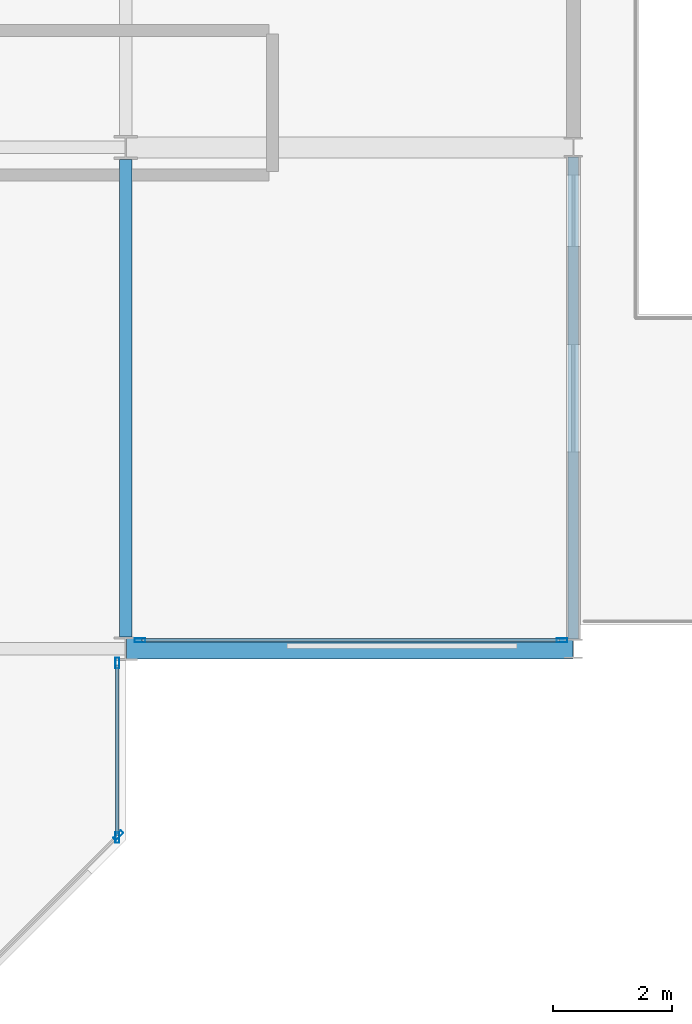
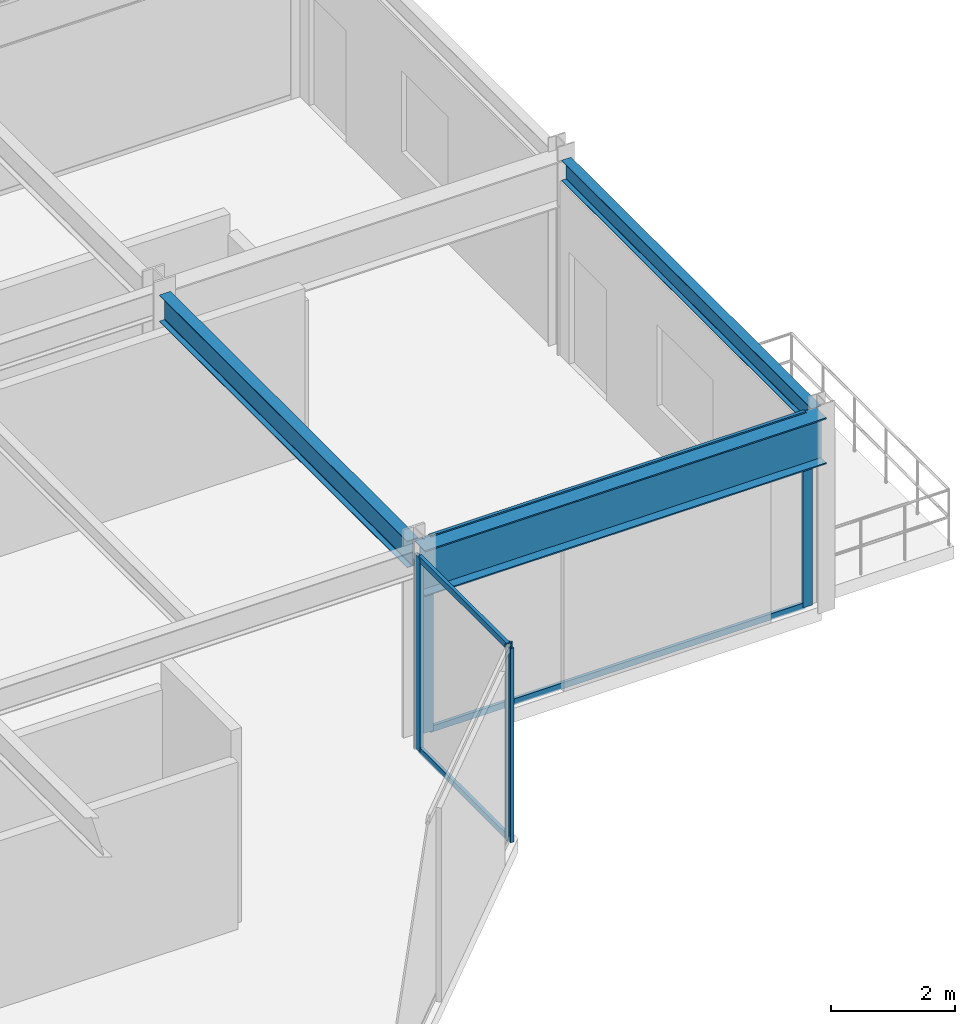
# One storey, part 18 of 38: 9 members, 3 beams, 3 elements without a shape of their own.
"""IFC4 building model written with IfcOpenShell, lengths in metres."""

import ifcopenshell
import ifcopenshell.guid

model = None  # the IFC model being written
_history = None  # IfcOwnerHistory: only IFC2X3 demands one
_inside = {}  # id of a spatial element -> (the spatial element, [elements in it])
_under = {}  # id of a project, library or spatial element -> (it, [spatial elements below it])
_declared = {}  # id of a project -> (the project, [libraries it declares])
_typed = {}  # id of a type object -> (the type object, [elements of that type])
_made_of = {}  # id of a material, layer set ... -> (it, [elements and type objects made of it])


def new_model(schema):
    """Start an empty IFC model of exactly this schema.

    Asked for "IFC4X3", IfcOpenShell would pick the latest addendum, in which some entities
    have other attributes; the version numbers below select the first issue.
    IFC2X3 requires an IfcOwnerHistory on every rooted entity: one is made here for all.
    """
    global model, _history
    if schema == "IFC4X3":
        model = ifcopenshell.file(schema_version=(4, 3, 0, 0))
    else:
        model = ifcopenshell.file(schema=schema)
    _inside.clear()
    _under.clear()
    _declared.clear()
    _typed.clear()
    _made_of.clear()
    _history = None
    if model.schema == "IFC2X3":
        org = make("IfcOrganization", Name="unknown")
        user = make(
            "IfcPersonAndOrganization",
            ThePerson=make("IfcPerson", FamilyName="unknown"),
            TheOrganization=org,
        )
        app = make(
            "IfcApplication",
            ApplicationDeveloper=org,
            Version="unknown",
            ApplicationFullName="unknown",
            ApplicationIdentifier="unknown",
        )
        _history = make(
            "IfcOwnerHistory",
            OwningUser=user,
            OwningApplication=app,
            ChangeAction="ADDED",
            CreationDate=0,
        )
    return model


def make(cls, **values):
    """One entity of the class cls with the attributes given. An attribute that is None is left unset."""
    return model.create_entity(
        cls, **{name: value for name, value in values.items() if value is not None}
    )


def rooted(cls, **values):
    """An entity with a GlobalId (a new one), such as an element, a storey or a relation."""
    return make(cls, GlobalId=ifcopenshell.guid.new(), OwnerHistory=_history, **values)


def si_unit(unit_type, name, prefix=None):
    """IfcSIUnit, for example si_unit("LENGTHUNIT", "METRE", prefix="MILLI")."""
    return make("IfcSIUnit", UnitType=unit_type, Prefix=prefix, Name=name)


def assignment(units):
    """IfcUnitAssignment: the units of a project."""
    return None if units is None else make("IfcUnitAssignment", Units=units)


def point(xyz):
    """IfcCartesianPoint."""
    return None if xyz is None else make("IfcCartesianPoint", Coordinates=xyz)


def direction(xyz):
    """IfcDirection."""
    return None if xyz is None else make("IfcDirection", DirectionRatios=xyz)


def frame(location, z_axis=None, x_axis=None):
    """IfcAxis2Placement3D, a coordinate frame: its origin and axes. An axis left out is left unset."""
    return make(
        "IfcAxis2Placement3D",
        Location=point(location),
        Axis=direction(z_axis),
        RefDirection=direction(x_axis),
    )


def frame_2d(location, x_axis=None):
    """IfcAxis2Placement2D, a coordinate frame in the plane: its origin and x axis."""
    return make(
        "IfcAxis2Placement2D", Location=point(location), RefDirection=direction(x_axis)
    )


def origin():
    """The frame at (0, 0, 0) with its axes left unset."""
    return frame((0.0, 0.0, 0.0))


def origin_2d():
    """The frame at (0, 0) in the plane with its x axis left unset."""
    return frame_2d((0.0, 0.0))


def place(relative_to, where):
    """IfcLocalPlacement: puts the frame where relative to a parent placement (None: the world)."""
    return make(
        "IfcLocalPlacement", PlacementRelTo=relative_to, RelativePlacement=where
    )


def context(
    kind, dimensions, precision=None, world=None, true_north=None, identifier=None
):
    """IfcGeometricRepresentationContext, for example the 3D "Model" context."""
    return make(
        "IfcGeometricRepresentationContext",
        ContextIdentifier=identifier,
        ContextType=kind,
        CoordinateSpaceDimension=dimensions,
        Precision=precision,
        WorldCoordinateSystem=world,
        TrueNorth=true_north,
    )


def subcontext(parent, identifier, kind, view, scale=None):
    """IfcGeometricRepresentationSubContext, for example "Body" below "Model"."""
    return make(
        "IfcGeometricRepresentationSubContext",
        ContextIdentifier=identifier,
        ContextType=kind,
        ParentContext=parent,
        TargetScale=scale,
        TargetView=view,
    )


def project(units=None, contexts=None):
    """IfcProject with its units and contexts."""
    return rooted(
        "IfcProject",
        Name="project",
        RepresentationContexts=contexts,
        UnitsInContext=assignment(units),
    )


def spatial(cls, under=None, at=None, **own):
    """A site, building, storey or space (cls), placed at a placement, below another one or the project."""
    s = rooted(cls, ObjectPlacement=at, **own)
    if under is not None:
        _under.setdefault(under.id(), (under, []))[1].append(s)
    return s


def profile(cls, at=None, kind="AREA", **sizes):
    """A parametric profile (cls). Its sizes go by their IFC names, for example OverallWidth=200.0."""
    return make(cls, ProfileType=kind, Position=at, **sizes)


def hollow_rectangle(**sizes):
    """IfcRectangleHollowProfileDef."""
    return profile("IfcRectangleHollowProfileDef", **sizes)


def i_section(**sizes):
    """IfcIShapeProfileDef."""
    return profile("IfcIShapeProfileDef", **sizes)


def extrude(swept, where, along, depth):
    """IfcExtrudedAreaSolid: the profile swept, set in the frame where, extruded along a direction by depth."""
    return make(
        "IfcExtrudedAreaSolid",
        SweptArea=swept,
        Position=where,
        ExtrudedDirection=direction(along),
        Depth=depth,
    )


def shape(context_of_items, identifier, shape_type, items):
    """IfcShapeRepresentation: the items that make up one representation, for example the "Body"."""
    return make(
        "IfcShapeRepresentation",
        ContextOfItems=context_of_items,
        RepresentationIdentifier=identifier,
        RepresentationType=shape_type,
        Items=items,
    )


def material(Name=None, Category=None):
    """IfcMaterial."""
    return make("IfcMaterial", Name=Name, Category=Category)


def layer(
    of_material, thickness, ventilated=None, Name=None, Category=None, Priority=None
):
    """IfcMaterialLayer: one layer of a wall or slab, of a material (None: an air gap)."""
    return make(
        "IfcMaterialLayer",
        Material=of_material,
        LayerThickness=thickness,
        IsVentilated=ventilated,
        Name=Name,
        Category=Category,
        Priority=Priority,
    )


def layer_set(layers, Name=None):
    """IfcMaterialLayerSet."""
    return make("IfcMaterialLayerSet", MaterialLayers=layers, LayerSetName=Name)


def material_profile(
    of_material, cross_section, Name=None, Category=None, Priority=None
):
    """IfcMaterialProfile: a cross section and its material."""
    return make(
        "IfcMaterialProfile",
        Name=Name,
        Material=of_material,
        Profile=cross_section,
        Priority=Priority,
        Category=Category,
    )


def profile_set(profiles, Name=None, composite=None):
    """IfcMaterialProfileSet."""
    return make(
        "IfcMaterialProfileSet",
        Name=Name,
        MaterialProfiles=profiles,
        CompositeProfile=composite,
    )


def made_of(thing, what):
    """Note that an element or type object is made of a material, layer set ...; save() writes the relation."""
    if what is not None:
        _made_of.setdefault(what.id(), (what, []))[1].append(thing)
    return thing


def type_object(cls, material=None, **own):
    """A type object (cls), such as IfcWallType, which elements share."""
    return made_of(rooted(cls, **own), material)


def element(
    cls,
    number,
    at=None,
    inside=None,
    cuts=None,
    type_object=None,
    material=None,
    context=None,
    identifier="Body",
    shape_type=None,
    held_by="IfcProductDefinitionShape",
    body=None,
    shapes=None,
    **own,
):
    """One element of the class cls, such as IfcWall. Its Tag is "e" and its number.

    at: its placement. inside: the storey or other place that contains it. cuts: it is an
    opening in that element (IfcRelVoidsElement). A single representation is given by context,
    identifier, shape_type and body (its items); several are given by shapes. held_by: the class
    of the entity that holds the representations. save() writes the other relations.
    """
    e = rooted(cls, Tag="e%d" % number, ObjectPlacement=at, **own)
    if body is not None:
        shapes = [shape(context, identifier, shape_type, body)]
    if shapes is not None:
        e.Representation = make(held_by, Representations=shapes)
    if inside is not None:
        _inside.setdefault(inside.id(), (inside, []))[1].append(e)
    if cuts is not None:
        rooted(
            "IfcRelVoidsElement", RelatingBuildingElement=cuts, RelatedOpeningElement=e
        )
    if type_object is not None:
        _typed.setdefault(type_object.id(), (type_object, []))[1].append(e)
    return made_of(e, material)


def aggregate(whole, parts):
    """IfcRelAggregates: a whole, such as a stair, and the parts it consists of."""
    return rooted("IfcRelAggregates", RelatingObject=whole, RelatedObjects=parts)


def save(model, path):
    """Write the relations noted so far, then the file.

    IfcRelAggregates (storeys below a building ...), IfcRelContainedInSpatialStructure (elements
    in a storey), IfcRelDefinesByType, IfcRelAssociatesMaterial and IfcRelDeclares: one each for
    every whole, place, type object, material and project.
    """
    for whole, parts in _under.values():
        aggregate(whole, parts)
    for where, things in _inside.values():
        rooted(
            "IfcRelContainedInSpatialStructure",
            RelatedElements=things,
            RelatingStructure=where,
        )
    for kind, things in _typed.values():
        rooted("IfcRelDefinesByType", RelatedObjects=things, RelatingType=kind)
    for what, things in _made_of.values():
        rooted("IfcRelAssociatesMaterial", RelatedObjects=things, RelatingMaterial=what)
    for by, libraries in _declared.values():
        rooted("IfcRelDeclares", RelatingContext=by, RelatedDefinitions=libraries)
    model.write(path)


model = new_model("IFC4")

# Units and contexts
model_context = context("Model", 3, precision=1e-05, world=origin(), true_north=direction((0.0, 1.0)))
body_context = subcontext(model_context, "Body", "Model", "MODEL_VIEW")
ifc_project = project(units=[si_unit("LENGTHUNIT", "METRE"), si_unit("AREAUNIT", "SQUARE_METRE"), si_unit("VOLUMEUNIT", "CUBIC_METRE"), si_unit("PLANEANGLEUNIT", "RADIAN"), si_unit("MASSUNIT", "GRAM", prefix="KILO")], contexts=[model_context])

# Site, building, storey
site_placement = place(None, origin())
site = spatial("IfcSite", under=ifc_project, at=site_placement, CompositionType="ELEMENT")
building_placement = place(site_placement, origin())
building = spatial("IfcBuilding", under=site, at=building_placement, Name="Nerrivon Quay Data Exchange", CompositionType="ELEMENT")
storey_placement = place(building_placement, frame((0.0, 0.0, 88.5)))
storey = spatial("IfcBuildingStorey", under=building, at=storey_placement, Name="L20", CompositionType="ELEMENT", Elevation=88.5)

# Beams
ifc_material_1 = material(Name="Steel Grade 350", Category="steel")
ifc_material_profile_1 = material_profile(ifc_material_1, i_section(OverallWidth=0.35009765625, OverallDepth=0.909912109375, WebThickness=0.011962890625, FlangeThickness=0.02490234375, at=origin_2d()), Name="900WB218")
ifc_profile_set_1 = profile_set([ifc_material_profile_1], Name="Steel Grade 350")
beam_type_1 = type_object("IfcBeamType", Name="BM-CANT-900WB", PredefinedType="USERDEFINED", material=ifc_profile_set_1)
beam_1_placement = place(storey_placement, frame((50.41259765625, 8.39990234375, 3.3701171875), z_axis=(1.0, 0.0, 0.0), x_axis=(0.0, 1.0, 0.0)))
element("IfcBeam", 1, at=beam_1_placement, inside=storey, type_object=beam_type_1, Name="L20 East Hooked Cantilever Girder Y=8.4", ObjectType="TRANSFER", PredefinedType="USERDEFINED", context=body_context, shape_type="SweptSolid", body=[
    extrude(i_section(OverallWidth=0.35009765625, OverallDepth=0.909912109375, WebThickness=0.011962890625, FlangeThickness=0.02490234375, at=origin_2d()), origin(), (0.0, 0.0, 1.0), 7.4794921875),
])
ifc_material_profile_2 = material_profile(ifc_material_1, i_section(OverallWidth=0.208984375, OverallDepth=0.528076171875, WebThickness=0.009521484375, FlangeThickness=0.01318359375, FilletRadius=0.013916015625, at=origin_2d()), Name="530UB82.0")
ifc_profile_set_2 = profile_set([ifc_material_profile_2], Name="Steel Grade 350")
beam_type_2 = type_object("IfcBeamType", Name="BM-G4-530UB82", PredefinedType="BEAM", material=ifc_profile_set_2)
beam_2_placement = place(storey_placement, frame((50.39990234375, 8.60009765625, 3.56103515625), z_axis=(0.0, 1.0, 0.0), x_axis=(-1.0, 0.0, 0.0)))
element("IfcBeam", 2, at=beam_2_placement, inside=storey, type_object=beam_type_2, Name="L20 NS Girder X=50.4 (8.4..16.8)", PredefinedType="BEAM", context=body_context, shape_type="SweptSolid", body=[
    extrude(i_section(OverallWidth=0.208984375, OverallDepth=0.528076171875, WebThickness=0.009521484375, FlangeThickness=0.01318359375, FilletRadius=0.013916015625, at=origin_2d()), origin(), (0.0, 0.0, 1.0), 8.0),
])
ifc_material_profile_3 = material_profile(ifc_material_1, i_section(OverallWidth=0.177978515625, OverallDepth=0.403076171875, WebThickness=0.007568359375, FlangeThickness=0.010986328125, FilletRadius=0.011474609375, at=origin_2d()), Name="410UB53.7")
ifc_profile_set_3 = profile_set([ifc_material_profile_3], Name="Steel Grade 350")
beam_type_3 = type_object("IfcBeamType", Name="BM-SP2-410UB54", PredefinedType="SPANDREL", material=ifc_profile_set_3)
beam_3_placement = place(storey_placement, frame((57.89990234375, 8.5634765625, 3.62353515625), z_axis=(0.0, 1.0, 0.0), x_axis=(-1.0, 0.0, 0.0)))
element("IfcBeam", 3, at=beam_3_placement, inside=storey, type_object=beam_type_3, Name="L20 East Hooked Edge Spandrel", PredefinedType="SPANDREL", context=body_context, shape_type="SweptSolid", body=[
    extrude(i_section(OverallWidth=0.177978515625, OverallDepth=0.403076171875, WebThickness=0.007568359375, FlangeThickness=0.010986328125, FilletRadius=0.011474609375, at=origin_2d()), origin(), (0.0, 0.0, 1.0), 8.072998046875),
])

# Curtain wall, members
ifc_material_2 = material(Name="Anodised aluminium 6063-T6", Category="aluminium")
ifc_layer_1 = layer(ifc_material_2, 0.199951171875)
ifc_layer_set_1 = layer_set([ifc_layer_1], Name="Anodised aluminium 6063-T6")
curtain_wall_type_1 = type_object("IfcCurtainWallType", Name="CW-SYS-04", PredefinedType="NOTDEFINED", material=ifc_layer_set_1)
curtain_wall_1_placement = place(storey_placement, origin())
curtain_wall_1 = element("IfcCurtainWall", 4, at=curtain_wall_1_placement, inside=storey, type_object=curtain_wall_type_1, Name="L20 Unitised Curtain Wall 3", PredefinedType="NOTDEFINED")
ifc_material_profile_4 = material_profile(ifc_material_2, hollow_rectangle(XDim=0.06494140625, YDim=0.179931640625, WallThickness=0.00341796875, at=origin_2d()), Name="ALU-MULL-180x65")
ifc_profile_set_4 = profile_set([ifc_material_profile_4], Name="Anodised aluminium 6063-T6")
member_type_1 = type_object("IfcMemberType", Name="CWM-180x65", PredefinedType="MULLION", material=ifc_profile_set_4)
member_1_placement = place(storey_placement, frame((57.70703125, 8.5400390625, 0.0), z_axis=(0.0, 0.0, 1.0), x_axis=(0.0, -1.0, 0.0)))
member_1 = element("IfcMember", 5, at=member_1_placement, type_object=member_type_1, Name="CW04 mullion 1", PredefinedType="MULLION", context=body_context, shape_type="SweptSolid", body=[
    extrude(hollow_rectangle(XDim=0.06494140625, YDim=0.179931640625, WallThickness=0.00341796875, at=origin_2d()), origin(), (0.0, 0.0, 1.0), 3.824951171875),
])
member_2_placement = place(storey_placement, frame((50.637451171875, 8.5400390625, 0.0), z_axis=(0.0, 0.0, 1.0), x_axis=(0.0, -1.0, 0.0)))
member_2 = element("IfcMember", 6, at=member_2_placement, type_object=member_type_1, Name="CW04 mullion 2", PredefinedType="MULLION", context=body_context, shape_type="SweptSolid", body=[
    extrude(hollow_rectangle(XDim=0.06494140625, YDim=0.179931640625, WallThickness=0.00341796875, at=origin_2d()), origin(), (0.0, 0.0, 1.0), 3.824951171875),
])

ifc_layer_2 = layer(ifc_material_2, 0.2099609375)
ifc_layer_set_2 = layer_set([ifc_layer_2], Name="Anodised aluminium 6063-T6")
curtain_wall_type_2 = type_object("IfcCurtainWallType", Name="CW-SYS-02", PredefinedType="NOTDEFINED", material=ifc_layer_set_2)
curtain_wall_2_placement = place(storey_placement, origin())
curtain_wall_2 = element("IfcCurtainWall", 7, at=curtain_wall_2_placement, inside=storey, type_object=curtain_wall_type_2, Name="L20 Unitised Curtain Wall 4", PredefinedType="NOTDEFINED")
member_3_placement = place(storey_placement, frame((50.260009765625, 8.16259765625, 0.0), z_axis=(0.0, 0.0, 1.0), x_axis=(1.0, 0.0, 0.0)))
member_3 = element("IfcMember", 8, at=member_3_placement, type_object=member_type_1, Name="CW02 mullion 1", PredefinedType="MULLION", context=body_context, shape_type="SweptSolid", body=[
    extrude(hollow_rectangle(XDim=0.06494140625, YDim=0.179931640625, WallThickness=0.00341796875, at=origin_2d()), origin(), (0.0, 0.0, 1.0), 3.824951171875),
])
member_4_placement = place(storey_placement, frame((50.260009765625, 5.237548828125, 0.0), z_axis=(0.0, 0.0, 1.0), x_axis=(1.0, 0.0, 0.0)))
member_4 = element("IfcMember", 9, at=member_4_placement, type_object=member_type_1, Name="CW02 mullion 2", PredefinedType="MULLION", context=body_context, shape_type="SweptSolid", body=[
    extrude(hollow_rectangle(XDim=0.06494140625, YDim=0.179931640625, WallThickness=0.00341796875, at=origin_2d()), origin(), (0.0, 0.0, 1.0), 3.824951171875),
])

# Curtain wall, member
curtain_wall_3_placement = place(storey_placement, origin())
curtain_wall_3 = element("IfcCurtainWall", 10, at=curtain_wall_3_placement, inside=storey, type_object=curtain_wall_type_2, Name="L20 Unitised Curtain Wall 5", PredefinedType="NOTDEFINED")
member_5_placement = place(storey_placement, frame((50.2744140625, 5.2724609375, 0.0), z_axis=(0.0, 0.0, 1.0), x_axis=(0.707106781187, -0.707106781187, 0.0)))
member_5 = element("IfcMember", 11, at=member_5_placement, type_object=member_type_1, Name="CW02 mullion 1", PredefinedType="MULLION", context=body_context, shape_type="SweptSolid", body=[
    extrude(hollow_rectangle(XDim=0.06494140625, YDim=0.179931640625, WallThickness=0.00341796875, at=origin_2d()), origin(), (0.0, 0.0, 1.0), 3.824951171875),
])
aggregate(curtain_wall_3, [member_5])

# Member
ifc_material_profile_5 = material_profile(ifc_material_2, hollow_rectangle(XDim=0.06005859375, YDim=0.1201171875, WallThickness=0.003173828125, at=origin_2d()), Name="ALU-TRAN-120x60")
ifc_profile_set_5 = profile_set([ifc_material_profile_5], Name="Anodised aluminium 6063-T6")
member_type_2 = type_object("IfcMemberType", Name="CWT-120x60", PredefinedType="USERDEFINED", material=ifc_profile_set_5)
member_6_placement = place(storey_placement, frame((57.66943359375, 8.5400390625, 0.032470703125), z_axis=(-1.0, 0.0, 0.0), x_axis=(0.0, -1.0, 0.0)))
member_6 = element("IfcMember", 12, at=member_6_placement, type_object=member_type_2, Name="CW04 transom 1.1", ObjectType="TRANSOM", PredefinedType="USERDEFINED", context=body_context, shape_type="SweptSolid", body=[
    extrude(hollow_rectangle(XDim=0.06005859375, YDim=0.1201171875, WallThickness=0.003173828125, at=origin_2d()), origin(), (0.0, 0.0, 1.0), 6.994384765625),
])

member_7_placement = place(storey_placement, frame((57.66943359375, 8.5400390625, 3.79248046875), z_axis=(-1.0, 0.0, 0.0), x_axis=(0.0, -1.0, 0.0)))
member_7 = element("IfcMember", 13, at=member_7_placement, type_object=member_type_2, Name="CW04 transom 1.2", ObjectType="TRANSOM", PredefinedType="USERDEFINED", context=body_context, shape_type="SweptSolid", body=[
    extrude(hollow_rectangle(XDim=0.06005859375, YDim=0.1201171875, WallThickness=0.003173828125, at=origin_2d()), origin(), (0.0, 0.0, 1.0), 6.994384765625),
])

aggregate(curtain_wall_1, [member_1, member_2, member_6, member_7])

member_8_placement = place(storey_placement, frame((50.260009765625, 8.125, 0.032470703125), z_axis=(0.0, -1.0, 0.0), x_axis=(1.0, 0.0, 0.0)))
member_8 = element("IfcMember", 14, at=member_8_placement, type_object=member_type_2, Name="CW02 transom 1.1", ObjectType="TRANSOM", PredefinedType="USERDEFINED", context=body_context, shape_type="SweptSolid", body=[
    extrude(hollow_rectangle(XDim=0.06005859375, YDim=0.1201171875, WallThickness=0.003173828125, at=origin_2d()), origin(), (0.0, 0.0, 1.0), 2.85009765625),
])

member_9_placement = place(storey_placement, frame((50.260009765625, 8.125, 3.79248046875), z_axis=(0.0, -1.0, 0.0), x_axis=(1.0, 0.0, 0.0)))
member_9 = element("IfcMember", 15, at=member_9_placement, type_object=member_type_2, Name="CW02 transom 1.2", ObjectType="TRANSOM", PredefinedType="USERDEFINED", context=body_context, shape_type="SweptSolid", body=[
    extrude(hollow_rectangle(XDim=0.06005859375, YDim=0.1201171875, WallThickness=0.003173828125, at=origin_2d()), origin(), (0.0, 0.0, 1.0), 2.85009765625),
])

aggregate(curtain_wall_2, [member_3, member_4, member_8, member_9])

save(model, "model.ifc")
